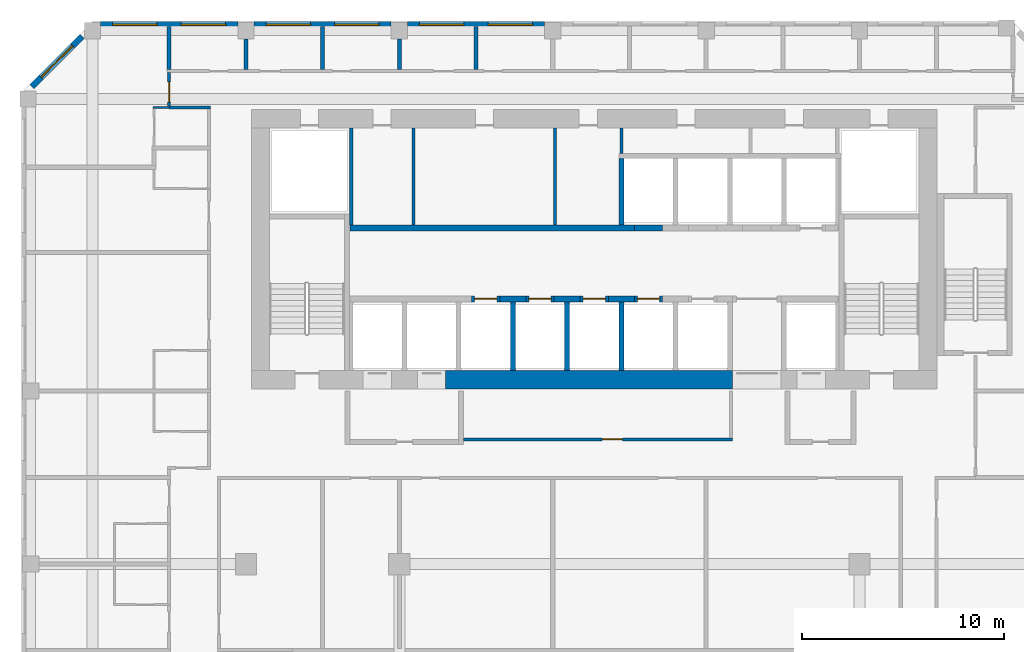
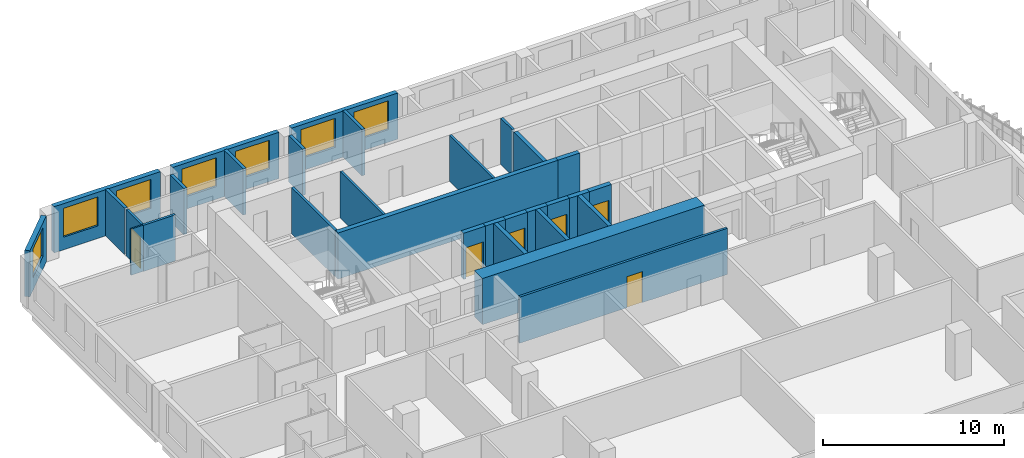
# One storey, part 8 of 24: 31 walls, 7 windows, 6 doors, 13 openings.
"""IFC4 building model written with IfcOpenShell, lengths in metres."""

import ifcopenshell
import ifcopenshell.guid

model = None  # the IFC model being written
_history = None  # IfcOwnerHistory: only IFC2X3 demands one
_inside = {}  # id of a spatial element -> (the spatial element, [elements in it])
_under = {}  # id of a project, library or spatial element -> (it, [spatial elements below it])
_declared = {}  # id of a project -> (the project, [libraries it declares])
_typed = {}  # id of a type object -> (the type object, [elements of that type])
_made_of = {}  # id of a material, layer set ... -> (it, [elements and type objects made of it])


def new_model(schema):
    """Start an empty IFC model of exactly this schema.

    Asked for "IFC4X3", IfcOpenShell would pick the latest addendum, in which some entities
    have other attributes; the version numbers below select the first issue.
    IFC2X3 requires an IfcOwnerHistory on every rooted entity: one is made here for all.
    """
    global model, _history
    if schema == "IFC4X3":
        model = ifcopenshell.file(schema_version=(4, 3, 0, 0))
    else:
        model = ifcopenshell.file(schema=schema)
    _inside.clear()
    _under.clear()
    _declared.clear()
    _typed.clear()
    _made_of.clear()
    _history = None
    if model.schema == "IFC2X3":
        org = make("IfcOrganization", Name="unknown")
        user = make(
            "IfcPersonAndOrganization",
            ThePerson=make("IfcPerson", FamilyName="unknown"),
            TheOrganization=org,
        )
        app = make(
            "IfcApplication",
            ApplicationDeveloper=org,
            Version="unknown",
            ApplicationFullName="unknown",
            ApplicationIdentifier="unknown",
        )
        _history = make(
            "IfcOwnerHistory",
            OwningUser=user,
            OwningApplication=app,
            ChangeAction="ADDED",
            CreationDate=0,
        )
    return model


def make(cls, **values):
    """One entity of the class cls with the attributes given. An attribute that is None is left unset."""
    return model.create_entity(
        cls, **{name: value for name, value in values.items() if value is not None}
    )


def rooted(cls, **values):
    """An entity with a GlobalId (a new one), such as an element, a storey or a relation."""
    return make(cls, GlobalId=ifcopenshell.guid.new(), OwnerHistory=_history, **values)


def si_unit(unit_type, name, prefix=None):
    """IfcSIUnit, for example si_unit("LENGTHUNIT", "METRE", prefix="MILLI")."""
    return make("IfcSIUnit", UnitType=unit_type, Prefix=prefix, Name=name)


def assignment(units):
    """IfcUnitAssignment: the units of a project."""
    return None if units is None else make("IfcUnitAssignment", Units=units)


def point(xyz):
    """IfcCartesianPoint."""
    return None if xyz is None else make("IfcCartesianPoint", Coordinates=xyz)


def direction(xyz):
    """IfcDirection."""
    return None if xyz is None else make("IfcDirection", DirectionRatios=xyz)


def frame(location, z_axis=None, x_axis=None):
    """IfcAxis2Placement3D, a coordinate frame: its origin and axes. An axis left out is left unset."""
    return make(
        "IfcAxis2Placement3D",
        Location=point(location),
        Axis=direction(z_axis),
        RefDirection=direction(x_axis),
    )


def frame_2d(location, x_axis=None):
    """IfcAxis2Placement2D, a coordinate frame in the plane: its origin and x axis."""
    return make(
        "IfcAxis2Placement2D", Location=point(location), RefDirection=direction(x_axis)
    )


def origin():
    """The frame at (0, 0, 0) with its axes left unset."""
    return frame((0.0, 0.0, 0.0))


def place(relative_to, where):
    """IfcLocalPlacement: puts the frame where relative to a parent placement (None: the world)."""
    return make(
        "IfcLocalPlacement", PlacementRelTo=relative_to, RelativePlacement=where
    )


def context(
    kind, dimensions, precision=None, world=None, true_north=None, identifier=None
):
    """IfcGeometricRepresentationContext, for example the 3D "Model" context."""
    return make(
        "IfcGeometricRepresentationContext",
        ContextIdentifier=identifier,
        ContextType=kind,
        CoordinateSpaceDimension=dimensions,
        Precision=precision,
        WorldCoordinateSystem=world,
        TrueNorth=true_north,
    )


def subcontext(parent, identifier, kind, view, scale=None):
    """IfcGeometricRepresentationSubContext, for example "Body" below "Model"."""
    return make(
        "IfcGeometricRepresentationSubContext",
        ContextIdentifier=identifier,
        ContextType=kind,
        ParentContext=parent,
        TargetScale=scale,
        TargetView=view,
    )


def project(units=None, contexts=None):
    """IfcProject with its units and contexts."""
    return rooted(
        "IfcProject",
        Name="project",
        RepresentationContexts=contexts,
        UnitsInContext=assignment(units),
    )


def spatial(cls, under=None, at=None, **own):
    """A site, building, storey or space (cls), placed at a placement, below another one or the project."""
    s = rooted(cls, ObjectPlacement=at, **own)
    if under is not None:
        _under.setdefault(under.id(), (under, []))[1].append(s)
    return s


def profile(cls, at=None, kind="AREA", **sizes):
    """A parametric profile (cls). Its sizes go by their IFC names, for example OverallWidth=200.0."""
    return make(cls, ProfileType=kind, Position=at, **sizes)


def rectangle(**sizes):
    """IfcRectangleProfileDef."""
    return profile("IfcRectangleProfileDef", **sizes)


def extrude(swept, where, along, depth):
    """IfcExtrudedAreaSolid: the profile swept, set in the frame where, extruded along a direction by depth."""
    return make(
        "IfcExtrudedAreaSolid",
        SweptArea=swept,
        Position=where,
        ExtrudedDirection=direction(along),
        Depth=depth,
    )


def shape(context_of_items, identifier, shape_type, items):
    """IfcShapeRepresentation: the items that make up one representation, for example the "Body"."""
    return make(
        "IfcShapeRepresentation",
        ContextOfItems=context_of_items,
        RepresentationIdentifier=identifier,
        RepresentationType=shape_type,
        Items=items,
    )


def source(mapping_origin, context_of_items, identifier, shape_type, items):
    """IfcRepresentationMap: a shape defined once, which mapped items show again and again."""
    return make(
        "IfcRepresentationMap",
        MappingOrigin=mapping_origin,
        MappedRepresentation=shape(context_of_items, identifier, shape_type, items),
    )


def transform(
    local_origin,
    x_axis=None,
    y_axis=None,
    z_axis=None,
    scale=None,
    scale2=None,
    scale3=None,
    uniform=True,
):
    """IfcCartesianTransformationOperator3D, or its non-uniform kind. x_axis, y_axis, z_axis: its Axis1, 2, 3."""
    if uniform:
        return make(
            "IfcCartesianTransformationOperator3D",
            Axis1=direction(x_axis),
            Axis2=direction(y_axis),
            LocalOrigin=point(local_origin),
            Scale=scale,
            Axis3=direction(z_axis),
        )
    return make(
        "IfcCartesianTransformationOperator3DnonUniform",
        Axis1=direction(x_axis),
        Axis2=direction(y_axis),
        LocalOrigin=point(local_origin),
        Scale=scale,
        Axis3=direction(z_axis),
        Scale2=scale2,
        Scale3=scale3,
    )


def mapped(mapping_source, mapping_target):
    """IfcMappedItem: shows the shape of a source again, moved by a transform."""
    return make(
        "IfcMappedItem", MappingSource=mapping_source, MappingTarget=mapping_target
    )


def material(Name=None, Category=None):
    """IfcMaterial."""
    return make("IfcMaterial", Name=Name, Category=Category)


def layer(
    of_material, thickness, ventilated=None, Name=None, Category=None, Priority=None
):
    """IfcMaterialLayer: one layer of a wall or slab, of a material (None: an air gap)."""
    return make(
        "IfcMaterialLayer",
        Material=of_material,
        LayerThickness=thickness,
        IsVentilated=ventilated,
        Name=Name,
        Category=Category,
        Priority=Priority,
    )


def layer_set(layers, Name=None):
    """IfcMaterialLayerSet."""
    return make("IfcMaterialLayerSet", MaterialLayers=layers, LayerSetName=Name)


def made_of(thing, what):
    """Note that an element or type object is made of a material, layer set ...; save() writes the relation."""
    if what is not None:
        _made_of.setdefault(what.id(), (what, []))[1].append(thing)
    return thing


def type_object(cls, material=None, **own):
    """A type object (cls), such as IfcWallType, which elements share."""
    return made_of(rooted(cls, **own), material)


def element(
    cls,
    number,
    at=None,
    inside=None,
    cuts=None,
    type_object=None,
    material=None,
    context=None,
    identifier="Body",
    shape_type=None,
    held_by="IfcProductDefinitionShape",
    body=None,
    shapes=None,
    **own,
):
    """One element of the class cls, such as IfcWall. Its Tag is "e" and its number.

    at: its placement. inside: the storey or other place that contains it. cuts: it is an
    opening in that element (IfcRelVoidsElement). A single representation is given by context,
    identifier, shape_type and body (its items); several are given by shapes. held_by: the class
    of the entity that holds the representations. save() writes the other relations.
    """
    e = rooted(cls, Tag="e%d" % number, ObjectPlacement=at, **own)
    if body is not None:
        shapes = [shape(context, identifier, shape_type, body)]
    if shapes is not None:
        e.Representation = make(held_by, Representations=shapes)
    if inside is not None:
        _inside.setdefault(inside.id(), (inside, []))[1].append(e)
    if cuts is not None:
        rooted(
            "IfcRelVoidsElement", RelatingBuildingElement=cuts, RelatedOpeningElement=e
        )
    if type_object is not None:
        _typed.setdefault(type_object.id(), (type_object, []))[1].append(e)
    return made_of(e, material)


def fill(opening, filler):
    """IfcRelFillsElement: the door or window that sits in an opening."""
    return rooted(
        "IfcRelFillsElement",
        RelatingOpeningElement=opening,
        RelatedBuildingElement=filler,
    )


def aggregate(whole, parts):
    """IfcRelAggregates: a whole, such as a stair, and the parts it consists of."""
    return rooted("IfcRelAggregates", RelatingObject=whole, RelatedObjects=parts)


def save(model, path):
    """Write the relations noted so far, then the file.

    IfcRelAggregates (storeys below a building ...), IfcRelContainedInSpatialStructure (elements
    in a storey), IfcRelDefinesByType, IfcRelAssociatesMaterial and IfcRelDeclares: one each for
    every whole, place, type object, material and project.
    """
    for whole, parts in _under.values():
        aggregate(whole, parts)
    for where, things in _inside.values():
        rooted(
            "IfcRelContainedInSpatialStructure",
            RelatedElements=things,
            RelatingStructure=where,
        )
    for kind, things in _typed.values():
        rooted("IfcRelDefinesByType", RelatedObjects=things, RelatingType=kind)
    for what, things in _made_of.values():
        rooted("IfcRelAssociatesMaterial", RelatedObjects=things, RelatingMaterial=what)
    for by, libraries in _declared.values():
        rooted("IfcRelDeclares", RelatingContext=by, RelatedDefinitions=libraries)
    model.write(path)


model = new_model("IFC4")

# Units and contexts
model_context = context("Model", 3, precision=1e-05, world=origin(), true_north=direction((0.0, 1.0)))
body_context = subcontext(model_context, "Body", "Model", "MODEL_VIEW")
ifc_project = project(units=[si_unit("LENGTHUNIT", "METRE"), si_unit("AREAUNIT", "SQUARE_METRE"), si_unit("VOLUMEUNIT", "CUBIC_METRE"), si_unit("PLANEANGLEUNIT", "RADIAN"), si_unit("MASSUNIT", "GRAM", prefix="KILO")], contexts=[model_context])

# Site, building, storey
site_placement = place(None, origin())
site = spatial("IfcSite", under=ifc_project, at=site_placement, CompositionType="ELEMENT")
building_placement = place(site_placement, origin())
building = spatial("IfcBuilding", under=site, at=building_placement, Name="Kilnfold Tower and Market Hall", CompositionType="ELEMENT")
storey_placement = place(building_placement, frame((0.0, 0.0, 175.300048828125)))
storey = spatial("IfcBuildingStorey", under=building, at=storey_placement, Name="L41", CompositionType="ELEMENT", Elevation=175.300048828125)

# Wall, opening, door
ifc_material_1 = material(Name="Gypsum board on steel studs", Category="steel")
ifc_layer_1 = layer(ifc_material_1, 0.14990234375)
ifc_layer_set_1 = layer_set([ifc_layer_1], Name="Gypsum board on steel studs")
wall_type_1 = type_object("IfcWallType", Name="WALL CORRIDOR 150", PredefinedType="PARTITIONING", material=ifc_layer_set_1)
wall_1_placement = place(storey_placement, frame((-19.958984375, 22.074951171875, 0.0), z_axis=(0.0, 0.0, 1.0), x_axis=(0.0, 1.0, 0.0)))
wall_1 = element("IfcWall", 1, at=wall_1_placement, inside=storey, type_object=wall_type_1, Name="Partition LY26.26", PredefinedType="PARTITIONING", context=body_context, shape_type="SweptSolid", body=[
    extrude(rectangle(XDim=1.650146484375, YDim=0.14990234375, at=frame_2d((0.8251953125, 0.0))), origin(), (0.0, 0.0, 1.0), 3.119873046875),
])
opening_1_placement = place(wall_1_placement, frame((0.199951171875, 0.0, 0.0)))
opening_1 = element("IfcOpeningElement", 2, at=opening_1_placement, cuts=wall_1, Name="Opening D1", PredefinedType="OPENING", context=body_context, shape_type="SweptSolid", body=[
    extrude(rectangle(XDim=1.0, YDim=2.10009765625, at=frame_2d((0.5, 1.050048828125))), frame((0.0, 0.0849609375, 0.0), z_axis=(0.0, -1.0, 0.0), x_axis=(1.0, 0.0, 0.0)), (0.0, 0.0, 1.0), 0.169921875),
])
ifc_material_2 = material(Name="Timber veneer door leaf in steel frame", Category="steel")
door_type_1 = type_object("IfcDoorType", Name="DOOR ENTRY 1000 X2100", OperationType="NOTDEFINED", PredefinedType="DOOR", material=ifc_material_2)
door_1_placement = place(opening_1_placement, origin())
door_1 = element("IfcDoor", 3, at=door_1_placement, inside=storey, type_object=door_type_1, Name="Door D1", OperationType="SINGLE_SWING_LEFT", OverallHeight=2.10009765625, OverallWidth=1.0, PredefinedType="DOOR", context=body_context, shape_type="SweptSolid", body=[
    extrude(rectangle(XDim=1.0, YDim=2.10009765625, at=frame_2d((0.5, 1.050048828125))), frame((0.0, 0.02490234375, 0.0), z_axis=(0.0, -1.0, 0.0), x_axis=(1.0, 0.0, 0.0)), (0.0, 0.0, 1.0), 0.050048828125),
])
fill(opening_1, door_1)

# Wall
wall_2_placement = place(storey_placement, frame((-19.958984375, 22.0, 0.0), z_axis=(0.0, 0.0, 1.0), x_axis=(1.0, 0.0, 0.0)))
element("IfcWall", 4, at=wall_2_placement, inside=storey, type_object=wall_type_1, Name="Partition LY26.28", PredefinedType="PARTITIONING", context=body_context, shape_type="SweptSolid", body=[
    extrude(rectangle(XDim=2.033935546875, YDim=0.14990234375, at=frame_2d((1.01708984375, 0.0))), origin(), (0.0, 0.0, 1.0), 3.119873046875),
])

# Wall, opening, door
wall_3_placement = place(storey_placement, frame((7.875, 5.60009765625, 0.0), z_axis=(0.0, 0.0, 1.0), x_axis=(-1.0, 0.0, 0.0)))
wall_3 = element("IfcWall", 5, at=wall_3_placement, inside=storey, type_object=wall_type_1, Name="Partition LY26.40", PredefinedType="PARTITIONING", context=body_context, shape_type="SweptSolid", body=[
    extrude(rectangle(XDim=13.27490234375, YDim=0.14990234375, at=frame_2d((6.637451171875, 0.0))), origin(), (0.0, 0.0, 1.0), 3.119873046875),
])
opening_2_placement = place(wall_3_placement, frame((5.43310546875, 0.0, 0.0)))
opening_2 = element("IfcOpeningElement", 6, at=opening_2_placement, cuts=wall_3, Name="Opening D1", PredefinedType="OPENING", context=body_context, shape_type="SweptSolid", body=[
    extrude(rectangle(XDim=1.0, YDim=2.10009765625, at=frame_2d((0.5, 1.050048828125))), frame((0.0, 0.0849609375, 0.0), z_axis=(0.0, -1.0, 0.0), x_axis=(1.0, 0.0, 0.0)), (0.0, 0.0, 1.0), 0.169921875),
])
door_2_placement = place(opening_2_placement, origin())
door_2 = element("IfcDoor", 7, at=door_2_placement, inside=storey, type_object=door_type_1, Name="Door D1", OperationType="SINGLE_SWING_LEFT", OverallHeight=2.10009765625, OverallWidth=1.0, PredefinedType="DOOR", context=body_context, shape_type="SweptSolid", body=[
    extrude(rectangle(XDim=1.0, YDim=2.10009765625, at=frame_2d((0.5, 1.050048828125))), frame((0.0, 0.02490234375, 0.0), z_axis=(0.0, -1.0, 0.0), x_axis=(1.0, 0.0, 0.0)), (0.0, 0.0, 1.0), 0.050048828125),
])
fill(opening_2, door_2)

# Walls
ifc_material_3 = material(Name="Gypsum board on steel studs", Category="steel")
ifc_layer_2 = layer(ifc_material_3, 0.10009765625)
ifc_layer_set_2 = layer_set([ifc_layer_2], Name="Gypsum board on steel studs")
wall_type_2 = type_object("IfcWallType", Name="WALL PARTITION 100", PredefinedType="PARTITIONING", material=ifc_layer_set_2)
wall_4_placement = place(storey_placement, frame((-20.751953125, 22.0, 0.0), z_axis=(0.0, 0.0, 1.0), x_axis=(1.0, 0.0, 0.0)))
element("IfcWall", 8, at=wall_4_placement, inside=storey, type_object=wall_type_2, Name="Partition LY26.115", PredefinedType="PARTITIONING", context=body_context, shape_type="SweptSolid", body=[
    extrude(rectangle(XDim=0.791015625, YDim=0.10009765625, at=frame_2d((0.3955078125, 0.0))), origin(), (0.0, 0.0, 1.0), 3.119873046875),
])
ifc_material_4 = material(Name="Gypsum board on steel studs", Category="steel")
ifc_layer_3 = layer(ifc_material_4, 0.199951171875)
ifc_layer_set_3 = layer_set([ifc_layer_3], Name="Gypsum board on steel studs")
wall_type_3 = type_object("IfcWallType", Name="WALL PARTY 200", PredefinedType="PARTITIONING", material=ifc_layer_set_3)
wall_5_placement = place(storey_placement, frame((-19.958984375, 23.876953125, 0.0), z_axis=(0.0, 0.0, 1.0), x_axis=(0.0, 1.0, 0.0)))
element("IfcWall", 9, at=wall_5_placement, inside=storey, type_object=wall_type_3, Name="Partition LY26.117", PredefinedType="PARTITIONING", context=body_context, shape_type="SweptSolid", body=[
    extrude(rectangle(XDim=2.123046875, YDim=0.199951171875, at=frame_2d((1.0615234375, 0.0))), origin(), (0.0, 0.0, 1.0), 3.119873046875),
])
wall_6_placement = place(storey_placement, frame((-16.1669921875, 23.876953125, 0.0), z_axis=(0.0, 0.0, 1.0), x_axis=(0.0, 1.0, 0.0)))
element("IfcWall", 10, at=wall_6_placement, inside=storey, type_object=wall_type_3, Name="Partition LY26.124", PredefinedType="PARTITIONING", context=body_context, shape_type="SweptSolid", body=[
    extrude(rectangle(XDim=1.52294921875, YDim=0.199951171875, at=frame_2d((0.761474609375, 0.0))), origin(), (0.0, 0.0, 1.0), 3.119873046875),
])
wall_7_placement = place(storey_placement, frame((-12.375, 23.876953125, 0.0), z_axis=(0.0, 0.0, 1.0), x_axis=(0.0, 1.0, 0.0)))
element("IfcWall", 11, at=wall_7_placement, inside=storey, type_object=wall_type_3, Name="Partition LY26.125", PredefinedType="PARTITIONING", context=body_context, shape_type="SweptSolid", body=[
    extrude(rectangle(XDim=2.123046875, YDim=0.199951171875, at=frame_2d((1.0615234375, 0.0))), origin(), (0.0, 0.0, 1.0), 3.119873046875),
])
wall_8_placement = place(storey_placement, frame((-8.5830078125, 23.876953125, 0.0), z_axis=(0.0, 0.0, 1.0), x_axis=(0.0, 1.0, 0.0)))
element("IfcWall", 12, at=wall_8_placement, inside=storey, type_object=wall_type_3, Name="Partition LY26.126", PredefinedType="PARTITIONING", context=body_context, shape_type="SweptSolid", body=[
    extrude(rectangle(XDim=1.52294921875, YDim=0.199951171875, at=frame_2d((0.761474609375, 0.0))), origin(), (0.0, 0.0, 1.0), 3.119873046875),
])
wall_9_placement = place(storey_placement, frame((-4.7919921875, 23.876953125, 0.0), z_axis=(0.0, 0.0, 1.0), x_axis=(0.0, 1.0, 0.0)))
element("IfcWall", 13, at=wall_9_placement, inside=storey, type_object=wall_type_3, Name="Partition LY26.127", PredefinedType="PARTITIONING", context=body_context, shape_type="SweptSolid", body=[
    extrude(rectangle(XDim=2.123046875, YDim=0.199951171875, at=frame_2d((1.0615234375, 0.0))), origin(), (0.0, 0.0, 1.0), 3.119873046875),
])
ifc_material_5 = material(Name="Concrete C70", Category="concrete")
ifc_layer_4 = layer(ifc_material_5, 0.89990234375)
ifc_layer_set_4 = layer_set([ifc_layer_4], Name="Concrete C70")
wall_type_4 = type_object("IfcWallType", Name="CORE WALL 900 C70", PredefinedType="SHEAR", material=ifc_layer_set_4)
shared_shape_1 = source(origin(), body_context, "Body", "SweptSolid", [
    extrude(rectangle(XDim=14.179931640625, YDim=0.89990234375, at=frame_2d((7.08984375, 0.0))), origin(), (0.0, 0.0, 1.0), 3.119873046875),
])
wall_10_placement = place(storey_placement, frame((-6.2900390625, 8.550048828125, 0.0), z_axis=(0.0, 0.0, 1.0), x_axis=(1.0, 0.0, 0.0)))
element("IfcWall", 14, at=wall_10_placement, inside=storey, type_object=wall_type_4, Name="Core outer wall south", PredefinedType="SHEAR", context=body_context, shape_type="MappedRepresentation", body=[
    mapped(shared_shape_1, transform((0.0, 0.0, 0.0))),
])
ifc_material_6 = material(Name="Concrete C70", Category="concrete")
ifc_layer_5 = layer(ifc_material_6, 0.300048828125)
ifc_layer_set_5 = layer_set([ifc_layer_5], Name="Concrete C70")
wall_type_5 = type_object("IfcWallType", Name="CORE WALL 300 C70", PredefinedType="SHEAR", material=ifc_layer_set_5)
shared_shape_2 = source(origin(), body_context, "Body", "SweptSolid", [
    extrude(rectangle(XDim=1.280029296875, YDim=0.300048828125, at=frame_2d((0.64013671875, 0.0))), origin(), (0.0, 0.0, 1.0), 3.119873046875),
])
for number, where, z_axis, x_axis, name in (
    (15, (-3.610107421875, 12.550048828125, 0.0), (0.0, 0.0, 1.0), (1.0, 0.0, 0.0), "Core spine wall"),
    (16, (-0.929931640625, 12.550048828125, 0.0), (0.0, 0.0, 1.0), (1.0, 0.0, 0.0), "Core spine wall"),
    (17, (1.75, 12.550048828125, 0.0), (0.0, 0.0, 1.0), (1.0, 0.0, 0.0), "Core spine wall"),
):
    element("IfcWall", number, at=place(storey_placement, frame(where, z_axis=z_axis, x_axis=x_axis)), inside=storey, type_object=wall_type_5, Name=name, PredefinedType="SHEAR", context=body_context, shape_type="MappedRepresentation", body=[
        mapped(shared_shape_2, transform((0.0, 0.0, 0.0))),
    ])
shared_shape_3 = source(origin(), body_context, "Body", "SweptSolid", [
    extrude(rectangle(XDim=14.0400390625, YDim=0.300048828125, at=frame_2d((7.02001953125, 0.0))), origin(), (0.0, 0.0, 1.0), 3.119873046875),
])
wall_11_placement = place(storey_placement, frame((-11.010009765625, 16.050048828125, 0.0), z_axis=(0.0, 0.0, 1.0), x_axis=(1.0, 0.0, 0.0)))
element("IfcWall", 18, at=wall_11_placement, inside=storey, type_object=wall_type_5, Name="Core spine wall", PredefinedType="SHEAR", context=body_context, shape_type="MappedRepresentation", body=[
    mapped(shared_shape_3, transform((0.0, 0.0, 0.0))),
])

# Wall, openings, windows
ifc_material_7 = material(Name="Precast concrete C50/60", Category="concrete")
ifc_layer_6 = layer(ifc_material_7, 0.300048828125)
ifc_layer_set_6 = layer_set([ifc_layer_6], Name="Precast concrete C50/60")
wall_type_6 = type_object("IfcWallType", Name="PRECAST WALL 300", PredefinedType="SOLIDWALL", material=ifc_layer_set_6)
shared_shape_4 = source(origin(), body_context, "Body", "SweptSolid", [
    extrude(rectangle(XDim=6.783447265625, YDim=0.300048828125, at=frame_2d((3.3916015625, 0.0))), origin(), (0.0, 0.0, 1.0), 3.119873046875),
])
wall_12_placement = place(storey_placement, frame((-1.39990234375, 26.10009765625, 0.0), z_axis=(0.0, 0.0, 1.0), x_axis=(-1.0, 0.0, 0.0)))
wall_12 = element("IfcWall", 19, at=wall_12_placement, inside=storey, type_object=wall_type_6, Name="External wall L41 N", PredefinedType="SOLIDWALL", context=body_context, shape_type="MappedRepresentation", body=[
    mapped(shared_shape_4, transform((0.0, 0.0, 0.0))),
])
opening_3_placement = place(wall_12_placement, frame((0.595703125, 0.0, 0.85009765625)))
opening_3 = element("IfcOpeningElement", 20, at=opening_3_placement, cuts=wall_12, Name="Opening W2", PredefinedType="OPENING", context=body_context, shape_type="SweptSolid", body=[
    extrude(rectangle(XDim=2.199951171875, YDim=1.949951171875, at=frame_2d((1.10009765625, 0.97509765625))), frame((0.0, 0.16015625, 0.0), z_axis=(0.0, -1.0, 0.0), x_axis=(1.0, 0.0, 0.0)), (0.0, 0.0, 1.0), 0.320068359375),
])
opening_4_placement = place(wall_12_placement, frame((3.987548828125, 0.0, 0.85009765625)))
opening_4 = element("IfcOpeningElement", 21, at=opening_4_placement, cuts=wall_12, Name="Opening W2", PredefinedType="OPENING", context=body_context, shape_type="SweptSolid", body=[
    extrude(rectangle(XDim=2.199951171875, YDim=1.949951171875, at=frame_2d((1.10009765625, 0.97509765625))), frame((0.0, 0.16015625, 0.0), z_axis=(0.0, -1.0, 0.0), x_axis=(1.0, 0.0, 0.0)), (0.0, 0.0, 1.0), 0.320068359375),
])
ifc_material_8 = material(Name="Aluminium frame and double glazing", Category="aluminium")
window_type = type_object("IfcWindowType", Name="WINDOW W2 2200X1950", PartitioningType="SINGLE_PANEL", PredefinedType="WINDOW", material=ifc_material_8)
window_1_placement = place(opening_3_placement, origin())
window_1 = element("IfcWindow", 22, at=window_1_placement, inside=storey, type_object=window_type, Name="Window W2 L41 N-1", OverallHeight=1.949951171875, OverallWidth=2.199951171875, PartitioningType="SINGLE_PANEL", PredefinedType="WINDOW", context=body_context, shape_type="SweptSolid", body=[
    extrude(rectangle(XDim=2.199951171875, YDim=1.949951171875, at=frame_2d((1.10009765625, 0.97509765625))), frame((0.0, 0.030029296875, 0.0), z_axis=(0.0, -1.0, 0.0), x_axis=(1.0, 0.0, 0.0)), (0.0, 0.0, 1.0), 0.06005859375),
])
fill(opening_3, window_1)
window_2_placement = place(opening_4_placement, origin())
window_2 = element("IfcWindow", 23, at=window_2_placement, inside=storey, type_object=window_type, Name="Window W2 L41 N-2", OverallHeight=1.949951171875, OverallWidth=2.199951171875, PartitioningType="SINGLE_PANEL", PredefinedType="WINDOW", context=body_context, shape_type="SweptSolid", body=[
    extrude(rectangle(XDim=2.199951171875, YDim=1.949951171875, at=frame_2d((1.10009765625, 0.97509765625))), frame((0.0, 0.030029296875, 0.0), z_axis=(0.0, -1.0, 0.0), x_axis=(1.0, 0.0, 0.0)), (0.0, 0.0, 1.0), 0.06005859375),
])
fill(opening_4, window_2)

wall_13_placement = place(storey_placement, frame((-16.566650390625, 26.10009765625, 0.0), z_axis=(0.0, 0.0, 1.0), x_axis=(-1.0, 0.0, 0.0)))
wall_13 = element("IfcWall", 24, at=wall_13_placement, inside=storey, type_object=wall_type_6, Name="External wall L41 N", PredefinedType="SOLIDWALL", context=body_context, shape_type="MappedRepresentation", body=[
    mapped(shared_shape_4, transform((0.0, 0.0, 0.0))),
])
opening_5_placement = place(wall_13_placement, frame((0.595703125, 0.0, 0.85009765625)))
opening_5 = element("IfcOpeningElement", 25, at=opening_5_placement, cuts=wall_13, Name="Opening W2", PredefinedType="OPENING", context=body_context, shape_type="SweptSolid", body=[
    extrude(rectangle(XDim=2.199951171875, YDim=1.949951171875, at=frame_2d((1.10009765625, 0.97509765625))), frame((0.0, 0.16015625, 0.0), z_axis=(0.0, -1.0, 0.0), x_axis=(1.0, 0.0, 0.0)), (0.0, 0.0, 1.0), 0.320068359375),
])
opening_6_placement = place(wall_13_placement, frame((3.987548828125, 0.0, 0.85009765625)))
opening_6 = element("IfcOpeningElement", 26, at=opening_6_placement, cuts=wall_13, Name="Opening W2", PredefinedType="OPENING", context=body_context, shape_type="SweptSolid", body=[
    extrude(rectangle(XDim=2.199951171875, YDim=1.949951171875, at=frame_2d((1.10009765625, 0.97509765625))), frame((0.0, 0.16015625, 0.0), z_axis=(0.0, -1.0, 0.0), x_axis=(1.0, 0.0, 0.0)), (0.0, 0.0, 1.0), 0.320068359375),
])
window_3_placement = place(opening_5_placement, origin())
window_3 = element("IfcWindow", 27, at=window_3_placement, inside=storey, type_object=window_type, Name="Window W2 L41 N-1", OverallHeight=1.949951171875, OverallWidth=2.199951171875, PartitioningType="SINGLE_PANEL", PredefinedType="WINDOW", context=body_context, shape_type="SweptSolid", body=[
    extrude(rectangle(XDim=2.199951171875, YDim=1.949951171875, at=frame_2d((1.10009765625, 0.97509765625))), frame((0.0, 0.030029296875, 0.0), z_axis=(0.0, -1.0, 0.0), x_axis=(1.0, 0.0, 0.0)), (0.0, 0.0, 1.0), 0.06005859375),
])
fill(opening_5, window_3)
window_4_placement = place(opening_6_placement, origin())
window_4 = element("IfcWindow", 28, at=window_4_placement, inside=storey, type_object=window_type, Name="Window W2 L41 N-2", OverallHeight=1.949951171875, OverallWidth=2.199951171875, PartitioningType="SINGLE_PANEL", PredefinedType="WINDOW", context=body_context, shape_type="SweptSolid", body=[
    extrude(rectangle(XDim=2.199951171875, YDim=1.949951171875, at=frame_2d((1.10009765625, 0.97509765625))), frame((0.0, 0.030029296875, 0.0), z_axis=(0.0, -1.0, 0.0), x_axis=(1.0, 0.0, 0.0)), (0.0, 0.0, 1.0), 0.06005859375),
])
fill(opening_6, window_4)

shared_shape_5 = source(origin(), body_context, "Body", "SweptSolid", [
    extrude(rectangle(XDim=6.783203125, YDim=0.300048828125, at=frame_2d((3.3916015625, 0.0))), origin(), (0.0, 0.0, 1.0), 3.119873046875),
])
wall_14_placement = place(storey_placement, frame((-8.9833984375, 26.10009765625, 0.0), z_axis=(0.0, 0.0, 1.0), x_axis=(-1.0, 0.0, 0.0)))
wall_14 = element("IfcWall", 29, at=wall_14_placement, inside=storey, type_object=wall_type_6, Name="External wall L41 N", PredefinedType="SOLIDWALL", context=body_context, shape_type="MappedRepresentation", body=[
    mapped(shared_shape_5, transform((0.0, 0.0, 0.0))),
])
opening_7_placement = place(wall_14_placement, frame((0.595703125, 0.0, 0.85009765625)))
opening_7 = element("IfcOpeningElement", 30, at=opening_7_placement, cuts=wall_14, Name="Opening W2", PredefinedType="OPENING", context=body_context, shape_type="SweptSolid", body=[
    extrude(rectangle(XDim=2.199951171875, YDim=1.949951171875, at=frame_2d((1.10009765625, 0.97509765625))), frame((0.0, 0.16015625, 0.0), z_axis=(0.0, -1.0, 0.0), x_axis=(1.0, 0.0, 0.0)), (0.0, 0.0, 1.0), 0.320068359375),
])
opening_8_placement = place(wall_14_placement, frame((3.987548828125, 0.0, 0.85009765625)))
opening_8 = element("IfcOpeningElement", 31, at=opening_8_placement, cuts=wall_14, Name="Opening W2", PredefinedType="OPENING", context=body_context, shape_type="SweptSolid", body=[
    extrude(rectangle(XDim=2.199951171875, YDim=1.949951171875, at=frame_2d((1.10009765625, 0.97509765625))), frame((0.0, 0.16015625, 0.0), z_axis=(0.0, -1.0, 0.0), x_axis=(1.0, 0.0, 0.0)), (0.0, 0.0, 1.0), 0.320068359375),
])
window_5_placement = place(opening_7_placement, origin())
window_5 = element("IfcWindow", 32, at=window_5_placement, inside=storey, type_object=window_type, Name="Window W2 L41 N-1", OverallHeight=1.949951171875, OverallWidth=2.199951171875, PartitioningType="SINGLE_PANEL", PredefinedType="WINDOW", context=body_context, shape_type="SweptSolid", body=[
    extrude(rectangle(XDim=2.199951171875, YDim=1.949951171875, at=frame_2d((1.10009765625, 0.97509765625))), frame((0.0, 0.030029296875, 0.0), z_axis=(0.0, -1.0, 0.0), x_axis=(1.0, 0.0, 0.0)), (0.0, 0.0, 1.0), 0.06005859375),
])
fill(opening_7, window_5)
window_6_placement = place(opening_8_placement, origin())
window_6 = element("IfcWindow", 33, at=window_6_placement, inside=storey, type_object=window_type, Name="Window W2 L41 N-2", OverallHeight=1.949951171875, OverallWidth=2.199951171875, PartitioningType="SINGLE_PANEL", PredefinedType="WINDOW", context=body_context, shape_type="SweptSolid", body=[
    extrude(rectangle(XDim=2.199951171875, YDim=1.949951171875, at=frame_2d((1.10009765625, 0.97509765625))), frame((0.0, 0.030029296875, 0.0), z_axis=(0.0, -1.0, 0.0), x_axis=(1.0, 0.0, 0.0)), (0.0, 0.0, 1.0), 0.06005859375),
])
fill(opening_8, window_6)

# Wall, opening, window
shared_shape_6 = source(origin(), body_context, "Body", "SweptSolid", [
    extrude(rectangle(XDim=3.500244140625, YDim=0.300048828125, at=frame_2d((1.75, 0.0))), origin(), (0.0, 0.0, 1.0), 3.119873046875),
])
wall_15_placement = place(storey_placement, frame((-24.268798828125, 25.518798828125, 0.0), z_axis=(0.0, 0.0, 1.0), x_axis=(-0.707141656123, -0.70707190453, 0.0)))
wall_15 = element("IfcWall", 34, at=wall_15_placement, inside=storey, type_object=wall_type_6, Name="External wall L41 NW", PredefinedType="SOLIDWALL", context=body_context, shape_type="MappedRepresentation", body=[
    mapped(shared_shape_6, transform((0.0, 0.0, 0.0))),
])
opening_9_placement = place(wall_15_placement, frame((0.650146484375, 0.0, 0.85009765625)))
opening_9 = element("IfcOpeningElement", 35, at=opening_9_placement, cuts=wall_15, Name="Opening W2", PredefinedType="OPENING", context=body_context, shape_type="SweptSolid", body=[
    extrude(rectangle(XDim=2.199951171875, YDim=1.949951171875, at=frame_2d((1.10009765625, 0.97509765625))), frame((0.0, 0.16015625, 0.0), z_axis=(0.0, -1.0, 0.0), x_axis=(1.0, 0.0, 0.0)), (0.0, 0.0, 1.0), 0.320068359375),
])
window_7_placement = place(opening_9_placement, origin())
window_7 = element("IfcWindow", 36, at=window_7_placement, inside=storey, type_object=window_type, Name="Window W2 L41 NW-1", OverallHeight=1.949951171875, OverallWidth=2.199951171875, PartitioningType="SINGLE_PANEL", PredefinedType="WINDOW", context=body_context, shape_type="SweptSolid", body=[
    extrude(rectangle(XDim=2.199951171875, YDim=1.949951171875, at=frame_2d((1.10009765625, 0.97509765625))), frame((0.0, 0.030029296875, 0.0), z_axis=(0.0, -1.0, 0.0), x_axis=(1.0, 0.0, 0.0)), (0.0, 0.0, 1.0), 0.06005859375),
])
fill(opening_9, window_7)

# Wall, opening, door
ifc_material_9 = material(Name="Gypsum shaft wall system")
ifc_layer_7 = layer(ifc_material_9, 0.300048828125)
ifc_layer_set_7 = layer_set([ifc_layer_7], Name="Gypsum shaft wall system")
wall_type_7 = type_object("IfcWallType", Name="SHAFT WALL 300", PredefinedType="PARTITIONING", material=ifc_layer_set_7)
shared_shape_7 = source(origin(), body_context, "Body", "SweptSolid", [
    extrude(rectangle(XDim=1.39990234375, YDim=0.300048828125, at=frame_2d((0.699951171875, 0.0))), origin(), (0.0, 0.0, 1.0), 3.119873046875),
])
wall_16_placement = place(storey_placement, frame((-5.010009765625, 12.550048828125, 0.0), z_axis=(0.0, 0.0, 1.0), x_axis=(1.0, 0.0, 0.0)))
wall_16 = element("IfcWall", 37, at=wall_16_placement, inside=storey, type_object=wall_type_7, Name="Lift shaft front wall", PredefinedType="PARTITIONING", context=body_context, shape_type="MappedRepresentation", body=[
    mapped(shared_shape_7, transform((0.0, 0.0, 0.0))),
])
opening_10_placement = place(wall_16_placement, frame((0.14990234375, 0.0, 0.0)))
opening_10 = element("IfcOpeningElement", 38, at=opening_10_placement, cuts=wall_16, Name="Opening LD2", PredefinedType="OPENING", context=body_context, shape_type="SweptSolid", body=[
    extrude(rectangle(XDim=1.10009765625, YDim=2.10009765625, at=frame_2d((0.550048828125, 1.050048828125))), frame((0.0, 0.16015625, 0.0), z_axis=(0.0, -1.0, 0.0), x_axis=(1.0, 0.0, 0.0)), (0.0, 0.0, 1.0), 0.320068359375),
])
ifc_material_10 = material(Name="Steel door set with fire-resisting leaf", Category="steel")
door_type_2 = type_object("IfcDoorType", Name="LANDING DOOR 1100X2100", OperationType="NOTDEFINED", PredefinedType="DOOR", material=ifc_material_10)
door_3_placement = place(opening_10_placement, origin())
door_3 = element("IfcDoor", 39, at=door_3_placement, inside=storey, type_object=door_type_2, Name="Landing door MR1", OperationType="DOUBLE_DOOR_SLIDING", OverallHeight=2.10009765625, OverallWidth=1.10009765625, PredefinedType="DOOR", context=body_context, shape_type="SweptSolid", body=[
    extrude(rectangle(XDim=1.10009765625, YDim=2.10009765625, at=frame_2d((0.550048828125, 1.050048828125))), frame((0.0, 0.02490234375, 0.0), z_axis=(0.0, -1.0, 0.0), x_axis=(1.0, 0.0, 0.0)), (0.0, 0.0, 1.0), 0.050048828125),
])
fill(opening_10, door_3)

wall_17_placement = place(storey_placement, frame((0.35009765625, 12.550048828125, 0.0), z_axis=(0.0, 0.0, 1.0), x_axis=(1.0, 0.0, 0.0)))
wall_17 = element("IfcWall", 40, at=wall_17_placement, inside=storey, type_object=wall_type_7, Name="Lift shaft front wall", PredefinedType="PARTITIONING", context=body_context, shape_type="MappedRepresentation", body=[
    mapped(shared_shape_7, transform((0.0, 0.0, 0.0))),
])
opening_11_placement = place(wall_17_placement, frame((0.14990234375, 0.0, 0.0)))
opening_11 = element("IfcOpeningElement", 41, at=opening_11_placement, cuts=wall_17, Name="Opening LD2", PredefinedType="OPENING", context=body_context, shape_type="SweptSolid", body=[
    extrude(rectangle(XDim=1.10009765625, YDim=2.10009765625, at=frame_2d((0.550048828125, 1.050048828125))), frame((0.0, 0.16015625, 0.0), z_axis=(0.0, -1.0, 0.0), x_axis=(1.0, 0.0, 0.0)), (0.0, 0.0, 1.0), 0.320068359375),
])
door_4_placement = place(opening_11_placement, origin())
door_4 = element("IfcDoor", 42, at=door_4_placement, inside=storey, type_object=door_type_2, Name="Landing door MR3", OperationType="DOUBLE_DOOR_SLIDING", OverallHeight=2.10009765625, OverallWidth=1.10009765625, PredefinedType="DOOR", context=body_context, shape_type="SweptSolid", body=[
    extrude(rectangle(XDim=1.10009765625, YDim=2.10009765625, at=frame_2d((0.550048828125, 1.050048828125))), frame((0.0, 0.02490234375, 0.0), z_axis=(0.0, -1.0, 0.0), x_axis=(1.0, 0.0, 0.0)), (0.0, 0.0, 1.0), 0.050048828125),
])
fill(opening_11, door_4)

wall_18_placement = place(storey_placement, frame((3.030029296875, 12.550048828125, 0.0), z_axis=(0.0, 0.0, 1.0), x_axis=(1.0, 0.0, 0.0)))
wall_18 = element("IfcWall", 43, at=wall_18_placement, inside=storey, type_object=wall_type_7, Name="Lift shaft front wall", PredefinedType="PARTITIONING", context=body_context, shape_type="MappedRepresentation", body=[
    mapped(shared_shape_7, transform((0.0, 0.0, 0.0))),
])
opening_12_placement = place(wall_18_placement, frame((0.14990234375, 0.0, 0.0)))
opening_12 = element("IfcOpeningElement", 44, at=opening_12_placement, cuts=wall_18, Name="Opening LD2", PredefinedType="OPENING", context=body_context, shape_type="SweptSolid", body=[
    extrude(rectangle(XDim=1.10009765625, YDim=2.10009765625, at=frame_2d((0.550048828125, 1.050048828125))), frame((0.0, 0.16015625, 0.0), z_axis=(0.0, -1.0, 0.0), x_axis=(1.0, 0.0, 0.0)), (0.0, 0.0, 1.0), 0.320068359375),
])
door_5_placement = place(opening_12_placement, origin())
door_5 = element("IfcDoor", 45, at=door_5_placement, inside=storey, type_object=door_type_2, Name="Landing door MR4", OperationType="DOUBLE_DOOR_SLIDING", OverallHeight=2.10009765625, OverallWidth=1.10009765625, PredefinedType="DOOR", context=body_context, shape_type="SweptSolid", body=[
    extrude(rectangle(XDim=1.10009765625, YDim=2.10009765625, at=frame_2d((0.550048828125, 1.050048828125))), frame((0.0, 0.02490234375, 0.0), z_axis=(0.0, -1.0, 0.0), x_axis=(1.0, 0.0, 0.0)), (0.0, 0.0, 1.0), 0.050048828125),
])
fill(opening_12, door_5)

# Wall
wall_19_placement = place(storey_placement, frame((3.030029296875, 16.050048828125, 0.0), z_axis=(0.0, 0.0, 1.0), x_axis=(1.0, 0.0, 0.0)))
element("IfcWall", 46, at=wall_19_placement, inside=storey, type_object=wall_type_7, Name="Lift shaft front wall", PredefinedType="PARTITIONING", context=body_context, shape_type="MappedRepresentation", body=[
    mapped(shared_shape_7, transform((0.0, 0.0, 0.0))),
])

# Wall, opening, door
shared_shape_8 = source(origin(), body_context, "Body", "SweptSolid", [
    extrude(rectangle(XDim=1.400146484375, YDim=0.300048828125, at=frame_2d((0.7001953125, 0.0))), origin(), (0.0, 0.0, 1.0), 3.119873046875),
])
wall_20_placement = place(storey_placement, frame((-2.330078125, 12.550048828125, 0.0), z_axis=(0.0, 0.0, 1.0), x_axis=(1.0, 0.0, 0.0)))
wall_20 = element("IfcWall", 47, at=wall_20_placement, inside=storey, type_object=wall_type_7, Name="Lift shaft front wall", PredefinedType="PARTITIONING", context=body_context, shape_type="MappedRepresentation", body=[
    mapped(shared_shape_8, transform((0.0, 0.0, 0.0))),
])
opening_13_placement = place(wall_20_placement, frame((0.14990234375, 0.0, 0.0)))
opening_13 = element("IfcOpeningElement", 48, at=opening_13_placement, cuts=wall_20, Name="Opening LD2", PredefinedType="OPENING", context=body_context, shape_type="SweptSolid", body=[
    extrude(rectangle(XDim=1.10009765625, YDim=2.10009765625, at=frame_2d((0.550048828125, 1.050048828125))), frame((0.0, 0.16015625, 0.0), z_axis=(0.0, -1.0, 0.0), x_axis=(1.0, 0.0, 0.0)), (0.0, 0.0, 1.0), 0.320068359375),
])
door_6_placement = place(opening_13_placement, origin())
door_6 = element("IfcDoor", 49, at=door_6_placement, inside=storey, type_object=door_type_2, Name="Landing door MR2", OperationType="DOUBLE_DOOR_SLIDING", OverallHeight=2.10009765625, OverallWidth=1.10009765625, PredefinedType="DOOR", context=body_context, shape_type="SweptSolid", body=[
    extrude(rectangle(XDim=1.10009765625, YDim=2.10009765625, at=frame_2d((0.550048828125, 1.050048828125))), frame((0.0, 0.02490234375, 0.0), z_axis=(0.0, -1.0, 0.0), x_axis=(1.0, 0.0, 0.0)), (0.0, 0.0, 1.0), 0.050048828125),
])
fill(opening_13, door_6)

# Walls
ifc_material_11 = material(Name="Gypsum shaft wall system")
ifc_layer_8 = layer(ifc_material_11, 0.1650390625)
ifc_layer_set_8 = layer_set([ifc_layer_8], Name="Gypsum shaft wall system")
wall_type_8 = type_object("IfcWallType", Name="SHAFT WALL 165", PredefinedType="PARTITIONING", material=ifc_layer_set_8)
shared_shape_9 = source(origin(), body_context, "Body", "SweptSolid", [
    extrude(rectangle(XDim=4.800048828125, YDim=0.1650390625, at=frame_2d((2.39990234375, 0.0))), origin(), (0.0, 0.0, 1.0), 3.119873046875),
])
wall_21_placement = place(storey_placement, frame((-10.967529296875, 16.199951171875, 0.0), z_axis=(0.0, 0.0, 1.0), x_axis=(0.0, 1.0, 0.0)))
element("IfcWall", 50, at=wall_21_placement, inside=storey, type_object=wall_type_8, Name="Lift shaft wall", PredefinedType="PARTITIONING", context=body_context, shape_type="MappedRepresentation", body=[
    mapped(shared_shape_9, transform((0.0, 0.0, 0.0))),
])
ifc_material_12 = material(Name="Gypsum shaft wall system")
ifc_layer_9 = layer(ifc_material_12, 0.25)
ifc_layer_set_9 = layer_set([ifc_layer_9], Name="Gypsum shaft wall system")
wall_type_9 = type_object("IfcWallType", Name="SHAFT WALL 250", PredefinedType="PARTITIONING", material=ifc_layer_set_9)
shared_shape_10 = source(origin(), body_context, "Body", "SweptSolid", [
    extrude(rectangle(XDim=3.275146484375, YDim=0.25, at=frame_2d((1.6376953125, 0.0))), origin(), (0.0, 0.0, 1.0), 3.119873046875),
])
wall_22_placement = place(storey_placement, frame((2.389892578125, 16.199951171875, 0.0), z_axis=(0.0, 0.0, 1.0), x_axis=(0.0, 1.0, 0.0)))
element("IfcWall", 51, at=wall_22_placement, inside=storey, type_object=wall_type_9, Name="Lift shaft wall", PredefinedType="PARTITIONING", context=body_context, shape_type="MappedRepresentation", body=[
    mapped(shared_shape_10, transform((0.0, 0.0, 0.0))),
])
shared_shape_11 = source(origin(), body_context, "Body", "SweptSolid", [
    extrude(rectangle(XDim=3.39990234375, YDim=0.25, at=frame_2d((1.699951171875, 0.0))), origin(), (0.0, 0.0, 1.0), 3.119873046875),
])
for number, where, z_axis, x_axis, name in (
    (52, (2.389892578125, 9.0, 0.0), (0.0, 0.0, 1.0), (0.0, 1.0, 0.0), "Lift shaft wall"),
    (53, (-0.2900390625, 9.0, 0.0), (0.0, 0.0, 1.0), (0.0, 1.0, 0.0), "Lift shaft wall"),
    (54, (-2.969970703125, 9.0, 0.0), (0.0, 0.0, 1.0), (0.0, 1.0, 0.0), "Lift shaft wall"),
):
    element("IfcWall", number, at=place(storey_placement, frame(where, z_axis=z_axis, x_axis=x_axis)), inside=storey, type_object=wall_type_9, Name=name, PredefinedType="PARTITIONING", context=body_context, shape_type="MappedRepresentation", body=[
        mapped(shared_shape_11, transform((0.0, 0.0, 0.0))),
    ])
ifc_material_13 = material(Name="Gypsum shaft wall system")
ifc_layer_10 = layer(ifc_material_13, 0.14990234375)
ifc_layer_set_10 = layer_set([ifc_layer_10], Name="Gypsum shaft wall system")
wall_type_10 = type_object("IfcWallType", Name="ROOM WALL 150", PredefinedType="PARTITIONING", material=ifc_layer_set_10)
shared_shape_12 = source(origin(), body_context, "Body", "SweptSolid", [
    extrude(rectangle(XDim=4.800048828125, YDim=0.14990234375, at=frame_2d((2.39990234375, 0.0))), origin(), (0.0, 0.0, 1.0), 3.119873046875),
])
for number, where, z_axis, x_axis, name in (
    (55, (-7.87451171875, 16.199951171875, 0.0), (0.0, 0.0, 1.0), (0.0, 1.0, 0.0), "Core room wall"),
    (56, (-0.879638671875, 16.199951171875, 0.0), (0.0, 0.0, 1.0), (0.0, 1.0, 0.0), "Core room wall"),
):
    element("IfcWall", number, at=place(storey_placement, frame(where, z_axis=z_axis, x_axis=x_axis)), inside=storey, type_object=wall_type_10, Name=name, PredefinedType="PARTITIONING", context=body_context, shape_type="MappedRepresentation", body=[
        mapped(shared_shape_12, transform((0.0, 0.0, 0.0))),
    ])
shared_shape_13 = source(origin(), body_context, "Body", "SweptSolid", [
    extrude(rectangle(XDim=1.27490234375, YDim=0.14990234375, at=frame_2d((0.637451171875, 0.0))), origin(), (0.0, 0.0, 1.0), 3.119873046875),
])
wall_23_placement = place(storey_placement, frame((2.389892578125, 19.72509765625, 0.0), z_axis=(0.0, 0.0, 1.0), x_axis=(0.0, 1.0, 0.0)))
element("IfcWall", 57, at=wall_23_placement, inside=storey, type_object=wall_type_10, Name="Core room wall", PredefinedType="PARTITIONING", context=body_context, shape_type="MappedRepresentation", body=[
    mapped(shared_shape_13, transform((0.0, 0.0, 0.0))),
])

save(model, "model.ifc")
